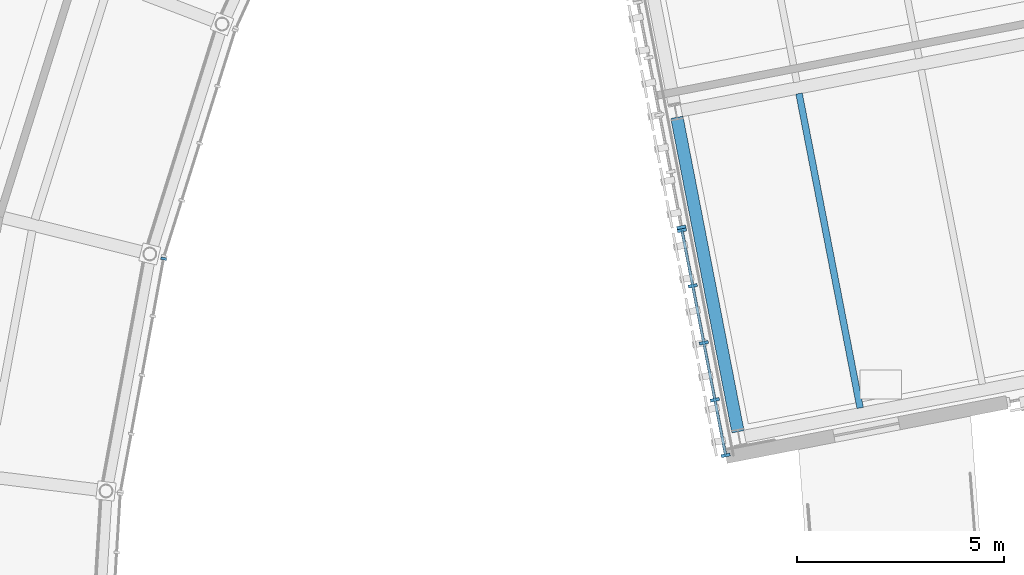
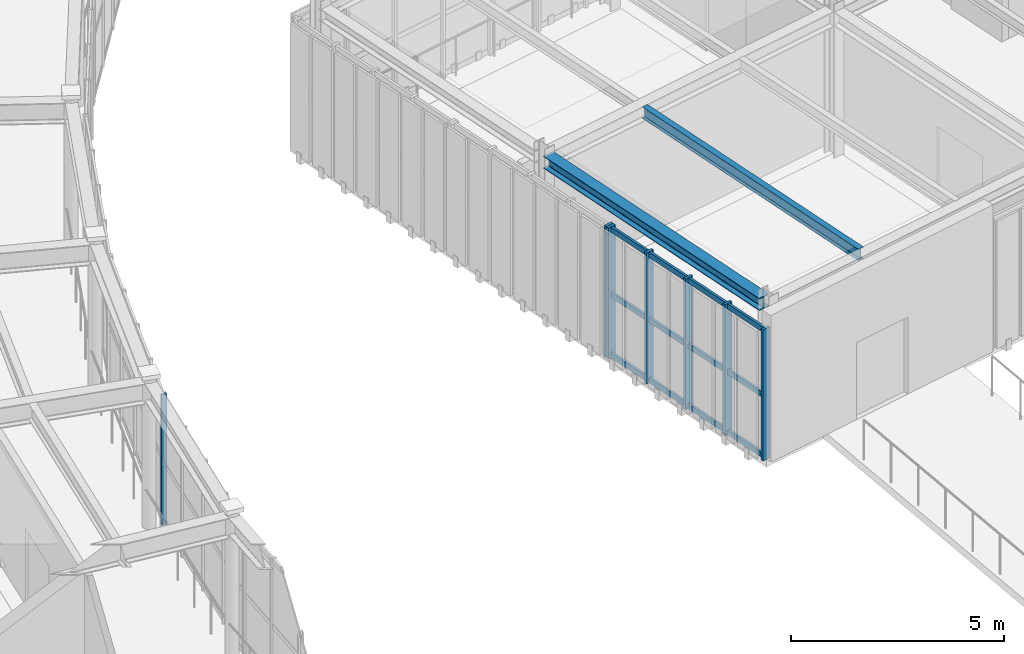
# One storey, part 25 of 103: 10 members, 2 beams, 3 elements without a shape of their own.
"""IFC4 building model written with IfcOpenShell, lengths in metres."""

import ifcopenshell
import ifcopenshell.guid

model = None  # the IFC model being written
_history = None  # IfcOwnerHistory: only IFC2X3 demands one
_inside = {}  # id of a spatial element -> (the spatial element, [elements in it])
_under = {}  # id of a project, library or spatial element -> (it, [spatial elements below it])
_declared = {}  # id of a project -> (the project, [libraries it declares])
_typed = {}  # id of a type object -> (the type object, [elements of that type])
_made_of = {}  # id of a material, layer set ... -> (it, [elements and type objects made of it])


def new_model(schema):
    """Start an empty IFC model of exactly this schema.

    Asked for "IFC4X3", IfcOpenShell would pick the latest addendum, in which some entities
    have other attributes; the version numbers below select the first issue.
    IFC2X3 requires an IfcOwnerHistory on every rooted entity: one is made here for all.
    """
    global model, _history
    if schema == "IFC4X3":
        model = ifcopenshell.file(schema_version=(4, 3, 0, 0))
    else:
        model = ifcopenshell.file(schema=schema)
    _inside.clear()
    _under.clear()
    _declared.clear()
    _typed.clear()
    _made_of.clear()
    _history = None
    if model.schema == "IFC2X3":
        org = make("IfcOrganization", Name="unknown")
        user = make(
            "IfcPersonAndOrganization",
            ThePerson=make("IfcPerson", FamilyName="unknown"),
            TheOrganization=org,
        )
        app = make(
            "IfcApplication",
            ApplicationDeveloper=org,
            Version="unknown",
            ApplicationFullName="unknown",
            ApplicationIdentifier="unknown",
        )
        _history = make(
            "IfcOwnerHistory",
            OwningUser=user,
            OwningApplication=app,
            ChangeAction="ADDED",
            CreationDate=0,
        )
    return model


def make(cls, **values):
    """One entity of the class cls with the attributes given. An attribute that is None is left unset."""
    return model.create_entity(
        cls, **{name: value for name, value in values.items() if value is not None}
    )


def rooted(cls, **values):
    """An entity with a GlobalId (a new one), such as an element, a storey or a relation."""
    return make(cls, GlobalId=ifcopenshell.guid.new(), OwnerHistory=_history, **values)


def si_unit(unit_type, name, prefix=None):
    """IfcSIUnit, for example si_unit("LENGTHUNIT", "METRE", prefix="MILLI")."""
    return make("IfcSIUnit", UnitType=unit_type, Prefix=prefix, Name=name)


def assignment(units):
    """IfcUnitAssignment: the units of a project."""
    return None if units is None else make("IfcUnitAssignment", Units=units)


def point(xyz):
    """IfcCartesianPoint."""
    return None if xyz is None else make("IfcCartesianPoint", Coordinates=xyz)


def direction(xyz):
    """IfcDirection."""
    return None if xyz is None else make("IfcDirection", DirectionRatios=xyz)


def frame(location, z_axis=None, x_axis=None):
    """IfcAxis2Placement3D, a coordinate frame: its origin and axes. An axis left out is left unset."""
    return make(
        "IfcAxis2Placement3D",
        Location=point(location),
        Axis=direction(z_axis),
        RefDirection=direction(x_axis),
    )


def frame_2d(location, x_axis=None):
    """IfcAxis2Placement2D, a coordinate frame in the plane: its origin and x axis."""
    return make(
        "IfcAxis2Placement2D", Location=point(location), RefDirection=direction(x_axis)
    )


def origin():
    """The frame at (0, 0, 0) with its axes left unset."""
    return frame((0.0, 0.0, 0.0))


def origin_2d():
    """The frame at (0, 0) in the plane with its x axis left unset."""
    return frame_2d((0.0, 0.0))


def place(relative_to, where):
    """IfcLocalPlacement: puts the frame where relative to a parent placement (None: the world)."""
    return make(
        "IfcLocalPlacement", PlacementRelTo=relative_to, RelativePlacement=where
    )


def context(
    kind, dimensions, precision=None, world=None, true_north=None, identifier=None
):
    """IfcGeometricRepresentationContext, for example the 3D "Model" context."""
    return make(
        "IfcGeometricRepresentationContext",
        ContextIdentifier=identifier,
        ContextType=kind,
        CoordinateSpaceDimension=dimensions,
        Precision=precision,
        WorldCoordinateSystem=world,
        TrueNorth=true_north,
    )


def subcontext(parent, identifier, kind, view, scale=None):
    """IfcGeometricRepresentationSubContext, for example "Body" below "Model"."""
    return make(
        "IfcGeometricRepresentationSubContext",
        ContextIdentifier=identifier,
        ContextType=kind,
        ParentContext=parent,
        TargetScale=scale,
        TargetView=view,
    )


def project(units=None, contexts=None):
    """IfcProject with its units and contexts."""
    return rooted(
        "IfcProject",
        Name="project",
        RepresentationContexts=contexts,
        UnitsInContext=assignment(units),
    )


def spatial(cls, under=None, at=None, **own):
    """A site, building, storey or space (cls), placed at a placement, below another one or the project."""
    s = rooted(cls, ObjectPlacement=at, **own)
    if under is not None:
        _under.setdefault(under.id(), (under, []))[1].append(s)
    return s


def profile(cls, at=None, kind="AREA", **sizes):
    """A parametric profile (cls). Its sizes go by their IFC names, for example OverallWidth=200.0."""
    return make(cls, ProfileType=kind, Position=at, **sizes)


def rectangle(**sizes):
    """IfcRectangleProfileDef."""
    return profile("IfcRectangleProfileDef", **sizes)


def i_section(**sizes):
    """IfcIShapeProfileDef."""
    return profile("IfcIShapeProfileDef", **sizes)


def extrude(swept, where, along, depth):
    """IfcExtrudedAreaSolid: the profile swept, set in the frame where, extruded along a direction by depth."""
    return make(
        "IfcExtrudedAreaSolid",
        SweptArea=swept,
        Position=where,
        ExtrudedDirection=direction(along),
        Depth=depth,
    )


def shape(context_of_items, identifier, shape_type, items):
    """IfcShapeRepresentation: the items that make up one representation, for example the "Body"."""
    return make(
        "IfcShapeRepresentation",
        ContextOfItems=context_of_items,
        RepresentationIdentifier=identifier,
        RepresentationType=shape_type,
        Items=items,
    )


def material(Name=None, Category=None):
    """IfcMaterial."""
    return make("IfcMaterial", Name=Name, Category=Category)


def material_profile(
    of_material, cross_section, Name=None, Category=None, Priority=None
):
    """IfcMaterialProfile: a cross section and its material."""
    return make(
        "IfcMaterialProfile",
        Name=Name,
        Material=of_material,
        Profile=cross_section,
        Priority=Priority,
        Category=Category,
    )


def profile_set(profiles, Name=None, composite=None):
    """IfcMaterialProfileSet."""
    return make(
        "IfcMaterialProfileSet",
        Name=Name,
        MaterialProfiles=profiles,
        CompositeProfile=composite,
    )


def made_of(thing, what):
    """Note that an element or type object is made of a material, layer set ...; save() writes the relation."""
    if what is not None:
        _made_of.setdefault(what.id(), (what, []))[1].append(thing)
    return thing


def type_object(cls, material=None, **own):
    """A type object (cls), such as IfcWallType, which elements share."""
    return made_of(rooted(cls, **own), material)


def element(
    cls,
    number,
    at=None,
    inside=None,
    cuts=None,
    type_object=None,
    material=None,
    context=None,
    identifier="Body",
    shape_type=None,
    held_by="IfcProductDefinitionShape",
    body=None,
    shapes=None,
    **own,
):
    """One element of the class cls, such as IfcWall. Its Tag is "e" and its number.

    at: its placement. inside: the storey or other place that contains it. cuts: it is an
    opening in that element (IfcRelVoidsElement). A single representation is given by context,
    identifier, shape_type and body (its items); several are given by shapes. held_by: the class
    of the entity that holds the representations. save() writes the other relations.
    """
    e = rooted(cls, Tag="e%d" % number, ObjectPlacement=at, **own)
    if body is not None:
        shapes = [shape(context, identifier, shape_type, body)]
    if shapes is not None:
        e.Representation = make(held_by, Representations=shapes)
    if inside is not None:
        _inside.setdefault(inside.id(), (inside, []))[1].append(e)
    if cuts is not None:
        rooted(
            "IfcRelVoidsElement", RelatingBuildingElement=cuts, RelatedOpeningElement=e
        )
    if type_object is not None:
        _typed.setdefault(type_object.id(), (type_object, []))[1].append(e)
    return made_of(e, material)


def aggregate(whole, parts):
    """IfcRelAggregates: a whole, such as a stair, and the parts it consists of."""
    return rooted("IfcRelAggregates", RelatingObject=whole, RelatedObjects=parts)


def save(model, path):
    """Write the relations noted so far, then the file.

    IfcRelAggregates (storeys below a building ...), IfcRelContainedInSpatialStructure (elements
    in a storey), IfcRelDefinesByType, IfcRelAssociatesMaterial and IfcRelDeclares: one each for
    every whole, place, type object, material and project.
    """
    for whole, parts in _under.values():
        aggregate(whole, parts)
    for where, things in _inside.values():
        rooted(
            "IfcRelContainedInSpatialStructure",
            RelatedElements=things,
            RelatingStructure=where,
        )
    for kind, things in _typed.values():
        rooted("IfcRelDefinesByType", RelatedObjects=things, RelatingType=kind)
    for what, things in _made_of.values():
        rooted("IfcRelAssociatesMaterial", RelatedObjects=things, RelatingMaterial=what)
    for by, libraries in _declared.values():
        rooted("IfcRelDeclares", RelatingContext=by, RelatedDefinitions=libraries)
    model.write(path)


model = new_model("IFC4")

# Units and contexts
model_context = context("Model", 3, precision=1e-05, world=origin(), true_north=direction((0.0, 1.0)))
body_context = subcontext(model_context, "Body", "Model", "MODEL_VIEW")
ifc_project = project(units=[si_unit("LENGTHUNIT", "METRE"), si_unit("AREAUNIT", "SQUARE_METRE"), si_unit("VOLUMEUNIT", "CUBIC_METRE"), si_unit("PLANEANGLEUNIT", "RADIAN"), si_unit("MASSUNIT", "GRAM", prefix="KILO")], contexts=[model_context])

# Site, building, storey
site_placement = place(None, origin())
site = spatial("IfcSite", under=ifc_project, at=site_placement, CompositionType="ELEMENT")
building_placement = place(site_placement, origin())
building = spatial("IfcBuilding", under=site, at=building_placement, Name="Varnklinge Art Gallery", CompositionType="ELEMENT")
storey_placement = place(building_placement, frame((0.0, 0.0, 5.10009765625)))
storey = spatial("IfcBuildingStorey", under=building, at=storey_placement, Name="L01", CompositionType="ELEMENT", Elevation=5.10009765625)

# Beam
ifc_material_1 = material(Name="Steel S355", Category="steel")
ifc_material_profile_1 = material_profile(ifc_material_1, i_section(OverallWidth=0.159912109375, OverallDepth=0.330078125, WebThickness=0.007568359375, FlangeThickness=0.011474609375, FilletRadius=0.01806640625, at=origin_2d()), Name="IPE 330")
ifc_profile_set_1 = profile_set([ifc_material_profile_1], Name="Steel S355")
beam_type_1 = type_object("IfcBeamType", Name="JST-07", PredefinedType="JOIST", material=ifc_profile_set_1)
beam_1_placement = place(storey_placement, frame((66.791015625, 62.800048828125, 4.034912109375), z_axis=(-0.190822257393, 0.98162460548, 0.0), x_axis=(-0.98162460548, -0.190822257393, 0.0)))
element("IfcBeam", 1, at=beam_1_placement, inside=storey, type_object=beam_type_1, Name="L01 JST-07 JST-V4B-L02-0-0-1", PredefinedType="JOIST", context=body_context, shape_type="SweptSolid", body=[
    extrude(i_section(OverallWidth=0.159912109375, OverallDepth=0.330078125, WebThickness=0.007568359375, FlangeThickness=0.011474609375, FilletRadius=0.01806640625, at=origin_2d()), origin(), (0.0, 0.0, 1.0), 7.719970703125),
])

# Curtain wall, member
ifc_material_2 = material(Name="Anodised Aluminium", Category="aluminium")
curtain_wall_type_1 = type_object("IfcCurtainWallType", Name="CW-L06", PredefinedType="USERDEFINED", material=ifc_material_2)
curtain_wall_1_placement = place(storey_placement, origin())
curtain_wall_1 = element("IfcCurtainWall", 2, at=curtain_wall_1_placement, inside=storey, type_object=curtain_wall_type_1, Name="L01 Curtain Wall CW-V4B-L01-4-1-2", ObjectType="UNITISED CURTAIN WALL", PredefinedType="USERDEFINED")
ifc_material_3 = material(Name="Anodised Aluminium", Category="aluminium")
ifc_material_profile_2 = material_profile(ifc_material_3, rectangle(XDim=0.074951171875, YDim=0.219970703125, at=origin_2d()), Name="ALU 75x220")
ifc_profile_set_2 = profile_set([ifc_material_profile_2], Name="Anodised Aluminium")
member_type_1 = type_object("IfcMemberType", Name="MUL-02", PredefinedType="MULLION", material=ifc_profile_set_2)
member_1_placement = place(storey_placement, frame((62.480712890625, 67.155029296875, 0.0), z_axis=(0.0, 0.0, 1.0), x_axis=(0.190808995377, -0.981627183448, 0.0)))
member_1 = element("IfcMember", 3, at=member_1_placement, type_object=member_type_1, Name="CW-V4B-L01-4-1-2 Mullion 5", PredefinedType="MULLION", context=body_context, shape_type="SweptSolid", body=[
    extrude(rectangle(XDim=0.074951171875, YDim=0.219970703125, at=origin_2d()), origin(), (0.0, 0.0, 1.0), 3.75),
])
aggregate(curtain_wall_1, [member_1])

# Curtain wall, members
curtain_wall_2_placement = place(storey_placement, origin())
curtain_wall_2 = element("IfcCurtainWall", 4, at=curtain_wall_2_placement, inside=storey, type_object=curtain_wall_type_1, Name="L01 Curtain Wall CW-V4B-L01-4-1-3", ObjectType="UNITISED CURTAIN WALL", PredefinedType="USERDEFINED")
member_2_placement = place(storey_placement, frame((62.4951171875, 67.08154296875, 0.0), z_axis=(0.0, 0.0, 1.0), x_axis=(0.190808995377, -0.981627183448, 0.0)))
member_2 = element("IfcMember", 5, at=member_2_placement, type_object=member_type_1, Name="CW-V4B-L01-4-1-3 Mullion 1", PredefinedType="MULLION", context=body_context, shape_type="SweptSolid", body=[
    extrude(rectangle(XDim=0.074951171875, YDim=0.219970703125, at=origin_2d()), origin(), (0.0, 0.0, 1.0), 3.75),
])
member_3_placement = place(storey_placement, frame((62.7548828125, 65.743896484375, 0.0), z_axis=(0.0, 0.0, 1.0), x_axis=(0.190808995377, -0.981627183448, 0.0)))
member_3 = element("IfcMember", 6, at=member_3_placement, type_object=member_type_1, Name="CW-V4B-L01-4-1-3 Mullion 2", PredefinedType="MULLION", context=body_context, shape_type="SweptSolid", body=[
    extrude(rectangle(XDim=0.074951171875, YDim=0.219970703125, at=origin_2d()), origin(), (0.0, 0.0, 1.0), 3.75),
])
member_4_placement = place(storey_placement, frame((63.022216796875, 64.369873046875, 0.0), z_axis=(0.0, 0.0, 1.0), x_axis=(0.190808995377, -0.981627183448, 0.0)))
member_4 = element("IfcMember", 7, at=member_4_placement, type_object=member_type_1, Name="CW-V4B-L01-4-1-3 Mullion 3", PredefinedType="MULLION", context=body_context, shape_type="SweptSolid", body=[
    extrude(rectangle(XDim=0.074951171875, YDim=0.219970703125, at=origin_2d()), origin(), (0.0, 0.0, 1.0), 3.75),
])
member_5_placement = place(storey_placement, frame((63.289306640625, 62.99560546875, 0.0), z_axis=(0.0, 0.0, 1.0), x_axis=(0.190808995377, -0.981627183448, 0.0)))
member_5 = element("IfcMember", 8, at=member_5_placement, type_object=member_type_1, Name="CW-V4B-L01-4-1-3 Mullion 4", PredefinedType="MULLION", context=body_context, shape_type="SweptSolid", body=[
    extrude(rectangle(XDim=0.074951171875, YDim=0.219970703125, at=origin_2d()), origin(), (0.0, 0.0, 1.0), 3.75),
])
member_6_placement = place(storey_placement, frame((63.549072265625, 61.657958984375, 0.0), z_axis=(0.0, 0.0, 1.0), x_axis=(0.190808995377, -0.981627183448, 0.0)))
member_6 = element("IfcMember", 9, at=member_6_placement, type_object=member_type_1, Name="CW-V4B-L01-4-1-3 Mullion 5", PredefinedType="MULLION", context=body_context, shape_type="SweptSolid", body=[
    extrude(rectangle(XDim=0.074951171875, YDim=0.219970703125, at=origin_2d()), origin(), (0.0, 0.0, 1.0), 3.75),
])

# Curtain wall, member
ifc_material_4 = material(Name="Anodised Aluminium", Category="aluminium")
curtain_wall_type_2 = type_object("IfcCurtainWallType", Name="CW-R04", PredefinedType="USERDEFINED", material=ifc_material_4)
curtain_wall_3_placement = place(storey_placement, origin())
curtain_wall_3 = element("IfcCurtainWall", 10, at=curtain_wall_3_placement, inside=storey, type_object=curtain_wall_type_2, Name="L01 Curtain Wall CW-V2I-L01-25", ObjectType="UNITISED CURTAIN WALL", PredefinedType="USERDEFINED")
ifc_material_5 = material(Name="Anodised Aluminium", Category="aluminium")
ifc_material_profile_3 = material_profile(ifc_material_5, rectangle(XDim=0.06005859375, YDim=0.139892578125, at=origin_2d()), Name="ALU 60x140")
ifc_profile_set_3 = profile_set([ifc_material_profile_3], Name="Anodised Aluminium")
member_type_2 = type_object("IfcMemberType", Name="MUL-03", PredefinedType="MULLION", material=ifc_profile_set_3)
member_7_placement = place(storey_placement, frame((50.00146484375, 66.398193359375, 0.0), z_axis=(0.0, 0.0, 1.0), x_axis=(0.181549039717, 0.983381892338, 0.0)))
member_7 = element("IfcMember", 11, at=member_7_placement, type_object=member_type_2, Name="CW-V2I-L01-25 Mullion 5", PredefinedType="MULLION", context=body_context, shape_type="SweptSolid", body=[
    extrude(rectangle(XDim=0.06005859375, YDim=0.139892578125, at=origin_2d()), origin(), (0.0, 0.0, 1.0), 3.72998046875),
])
aggregate(curtain_wall_3, [member_7])

# Beam
ifc_material_6 = material(Name="Steel S355", Category="steel")
ifc_material_profile_4 = material_profile(ifc_material_6, i_section(OverallWidth=0.300048828125, OverallDepth=0.35009765625, WebThickness=0.010009765625, FlangeThickness=0.017578125, FilletRadius=0.027099609375, at=origin_2d()), Name="HEA 360")
ifc_profile_set_4 = profile_set([ifc_material_profile_4], Name="Steel S355")
beam_type_2 = type_object("IfcBeamType", Name="SPB-04", PredefinedType="SPANDREL", material=ifc_profile_set_4)
beam_2_placement = place(storey_placement, frame((63.845947265625, 62.2275390625, 4.02490234375), z_axis=(-0.190816333803, 0.981625756974, 0.0), x_axis=(-0.981625756974, -0.190816333803, 0.0)))
element("IfcBeam", 12, at=beam_2_placement, inside=storey, type_object=beam_type_2, Name="L01 SPB-04 BM-V4B-L02-V0-0", PredefinedType="SPANDREL", context=body_context, shape_type="SweptSolid", body=[
    extrude(i_section(OverallWidth=0.300048828125, OverallDepth=0.35009765625, WebThickness=0.010009765625, FlangeThickness=0.017578125, FilletRadius=0.027099609375, at=origin_2d()), origin(), (0.0, 0.0, 1.0), 7.72021484375),
])

# Member
ifc_material_7 = material(Name="Anodised Aluminium", Category="aluminium")
ifc_material_profile_5 = material_profile(ifc_material_7, rectangle(XDim=0.06494140625, YDim=0.14990234375, at=origin_2d()), Name="ALU 65x150")
ifc_profile_set_5 = profile_set([ifc_material_profile_5], Name="Anodised Aluminium")
member_type_3 = type_object("IfcMemberType", Name="TRN-01", PredefinedType="USERDEFINED", material=ifc_profile_set_5)
member_8_placement = place(storey_placement, frame((62.4951171875, 67.08154296875, 0.074951171875), z_axis=(0.190759664241, -0.981636771163, 0.0), x_axis=(0.981636771163, 0.190759664241, 0.0)))
member_8 = element("IfcMember", 13, at=member_8_placement, type_object=member_type_3, Name="CW-V4B-L01-4-1-3 Transom 1", ObjectType="TRANSOM", PredefinedType="USERDEFINED", context=body_context, shape_type="SweptSolid", body=[
    extrude(rectangle(XDim=0.06494140625, YDim=0.14990234375, at=origin_2d()), origin(), (0.0, 0.0, 1.0), 5.525146484375),
])

member_9_placement = place(storey_placement, frame((62.4951171875, 67.08154296875, 1.7998046875), z_axis=(0.190759664241, -0.981636771163, 0.0), x_axis=(0.981636771163, 0.190759664241, 0.0)))
member_9 = element("IfcMember", 14, at=member_9_placement, type_object=member_type_3, Name="CW-V4B-L01-4-1-3 Transom 2", ObjectType="TRANSOM", PredefinedType="USERDEFINED", context=body_context, shape_type="SweptSolid", body=[
    extrude(rectangle(XDim=0.06494140625, YDim=0.14990234375, at=origin_2d()), origin(), (0.0, 0.0, 1.0), 5.525146484375),
])

member_10_placement = place(storey_placement, frame((62.4951171875, 67.08154296875, 3.6748046875), z_axis=(0.190759664241, -0.981636771163, 0.0), x_axis=(0.981636771163, 0.190759664241, 0.0)))
member_10 = element("IfcMember", 15, at=member_10_placement, type_object=member_type_3, Name="CW-V4B-L01-4-1-3 Transom 3", ObjectType="TRANSOM", PredefinedType="USERDEFINED", context=body_context, shape_type="SweptSolid", body=[
    extrude(rectangle(XDim=0.06494140625, YDim=0.14990234375, at=origin_2d()), origin(), (0.0, 0.0, 1.0), 5.525146484375),
])

aggregate(curtain_wall_2, [member_2, member_3, member_4, member_5, member_6, member_8, member_9, member_10])

save(model, "model.ifc")
